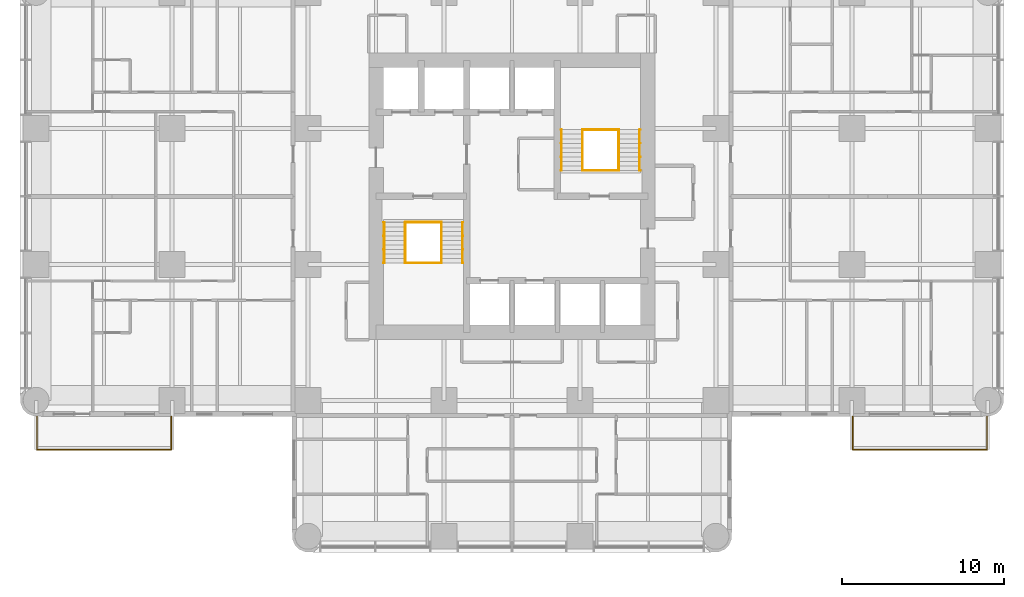
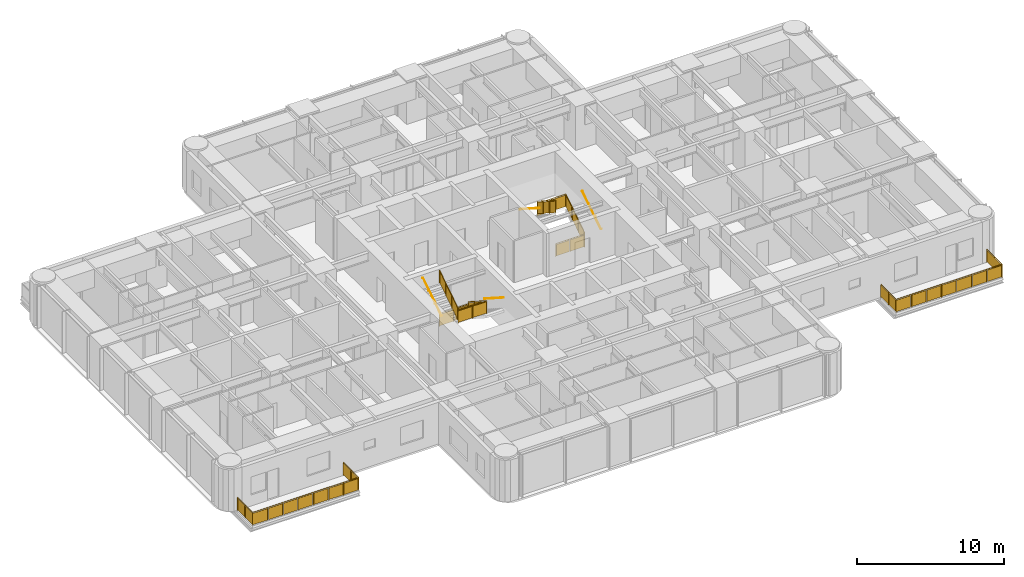
# One storey, part 14 of 15: 14 railings.
"""IFC4 building model written with IfcOpenShell, lengths in metres."""

from ifc_helpers import new_model, si_unit, direction, frame, origin, origin_2d, place, context, subcontext, project, spatial, polyline, circle, outline, extrude, material, constituent, constituent_set, type_object, element, save


model = new_model("IFC4")

# Units and contexts
model_context = context("Model", 3, precision=1e-05, world=origin(), true_north=direction((0.0, 1.0)))
body_context = subcontext(model_context, "Body", "Model", "MODEL_VIEW")
ifc_project = project(units=[si_unit("LENGTHUNIT", "METRE"), si_unit("AREAUNIT", "SQUARE_METRE"), si_unit("VOLUMEUNIT", "CUBIC_METRE"), si_unit("PLANEANGLEUNIT", "RADIAN"), si_unit("MASSUNIT", "GRAM", prefix="KILO")], contexts=[model_context])

# Site, building, storey
site_placement = place(None, origin())
site = spatial("IfcSite", under=ifc_project, at=site_placement, CompositionType="ELEMENT")
building_placement = place(site_placement, origin())
building = spatial("IfcBuilding", under=site, at=building_placement, Name="Torre Alcanfor", CompositionType="ELEMENT")
storey_placement = place(building_placement, frame((0.0, 0.0, 144.89990234375)))
storey = spatial("IfcBuildingStorey", under=building, at=storey_placement, Name="L37", CompositionType="ELEMENT", Elevation=144.89990234375)

# Railings
ifc_material_1 = material(Name="Laminated safety glass", Category="glass")
ifc_constituent_1 = constituent(ifc_material_1, Name="Infill")
ifc_material_2 = material(Name="Stainless steel ASTM A554 Grade MT 316L tube", Category="steel")
ifc_constituent_2 = constituent(ifc_material_2, Name="Posts and rail")
ifc_constituent_set = constituent_set(constituents=[ifc_constituent_1, ifc_constituent_2], Name="Balcony guard glass 1100")
railing_type_1 = type_object("IfcRailingType", Name="Balcony guard glass 1100", PredefinedType="BALUSTRADE", material=ifc_constituent_set)
railing_1_placement = place(storey_placement, frame((50.449951171875, 15.800048828125, 0.0)))
element("IfcRailing", 1, at=railing_1_placement, inside=storey, type_object=railing_type_1, Name="Balcony guard L37-E2", PredefinedType="BALUSTRADE", context=body_context, shape_type="SweptSolid", body=[
    extrude(circle(Radius=0.02392578125, at=origin_2d()), frame((0.0, 0.0, 1.076171875), z_axis=(0.0, -1.0, 0.0), x_axis=(1.0, 0.0, 0.0)), (0.0, 0.0, 1.0), 2.050048828125),
    extrude(circle(Radius=0.02392578125, at=origin_2d()), frame((0.0, -2.050048828125, 1.076171875), z_axis=(1.0, 0.0, 0.0), x_axis=(0.0, 1.0, 0.0)), (0.0, 0.0, 1.0), 8.300048828125),
    extrude(circle(Radius=0.02392578125, at=origin_2d()), frame((8.300048828125, -2.050048828125, 1.076171875), z_axis=(0.0, 1.0, 0.0), x_axis=(-1.0, 0.0, 0.0)), (0.0, 0.0, 1.0), 2.050048828125),
    extrude(circle(Radius=0.02099609375, at=origin_2d()), origin(), (0.0, 0.0, 1.0), 1.052001953125),
    extrude(circle(Radius=0.02099609375, at=origin_2d()), frame((0.0, -1.02490234375, 0.0)), (0.0, 0.0, 1.0), 1.052001953125),
    extrude(circle(Radius=0.02099609375, at=origin_2d()), frame((0.0, -2.050048828125, 0.0)), (0.0, 0.0, 1.0), 1.052001953125),
    extrude(circle(Radius=0.02099609375, at=origin_2d()), frame((1.185791015625, -2.050048828125, 0.0)), (0.0, 0.0, 1.0), 1.052001953125),
    extrude(circle(Radius=0.02099609375, at=origin_2d()), frame((2.371337890625, -2.050048828125, 0.0)), (0.0, 0.0, 1.0), 1.052001953125),
    extrude(circle(Radius=0.02099609375, at=origin_2d()), frame((3.55712890625, -2.050048828125, 0.0)), (0.0, 0.0, 1.0), 1.052001953125),
    extrude(circle(Radius=0.02099609375, at=origin_2d()), frame((4.742919921875, -2.050048828125, 0.0)), (0.0, 0.0, 1.0), 1.052001953125),
    extrude(circle(Radius=0.02099609375, at=origin_2d()), frame((5.9287109375, -2.050048828125, 0.0)), (0.0, 0.0, 1.0), 1.052001953125),
    extrude(circle(Radius=0.02099609375, at=origin_2d()), frame((7.1142578125, -2.050048828125, 0.0)), (0.0, 0.0, 1.0), 1.052001953125),
    extrude(circle(Radius=0.02099609375, at=origin_2d()), frame((8.300048828125, -2.050048828125, 0.0)), (0.0, 0.0, 1.0), 1.052001953125),
    extrude(circle(Radius=0.02099609375, at=origin_2d()), frame((8.300048828125, -1.02490234375, 0.0)), (0.0, 0.0, 1.0), 1.052001953125),
    extrude(circle(Radius=0.02099609375, at=origin_2d()), frame((8.300048828125, 0.0, 0.0)), (0.0, 0.0, 1.0), 1.052001953125),
    extrude(outline(polyline([(0.041015625, 0.050048828125), (0.984130859375, 0.050048828125), (0.984130859375, 1.001953125), (0.041015625, 1.001953125), (0.041015625, 0.050048828125)])), frame((0.005859375, 0.0, 0.0), z_axis=(-1.0, 0.0, 0.0), x_axis=(0.0, -1.0, 0.0)), (0.0, 0.0, 1.0), 0.011962890625),
    extrude(outline(polyline([(1.06591796875, 0.050048828125), (2.009033203125, 0.050048828125), (2.009033203125, 1.001953125), (1.06591796875, 1.001953125), (1.06591796875, 0.050048828125)])), frame((0.005859375, 0.0, 0.0), z_axis=(-1.0, 0.0, 0.0), x_axis=(0.0, -1.0, 0.0)), (0.0, 0.0, 1.0), 0.011962890625),
    extrude(outline(polyline([(0.041015625, 0.050048828125), (1.144775390625, 0.050048828125), (1.144775390625, 1.001953125), (0.041015625, 1.001953125), (0.041015625, 0.050048828125)])), frame((0.0, -2.0439453125, 0.0), z_axis=(0.0, -1.0, 0.0), x_axis=(1.0, 0.0, 0.0)), (0.0, 0.0, 1.0), 0.011962890625),
    extrude(outline(polyline([(1.226806640625, 0.050048828125), (2.330322265625, 0.050048828125), (2.330322265625, 1.001953125), (1.226806640625, 1.001953125), (1.226806640625, 0.050048828125)])), frame((0.0, -2.0439453125, 0.0), z_axis=(0.0, -1.0, 0.0), x_axis=(1.0, 0.0, 0.0)), (0.0, 0.0, 1.0), 0.011962890625),
    extrude(outline(polyline([(2.412353515625, 0.050048828125), (3.51611328125, 0.050048828125), (3.51611328125, 1.001953125), (2.412353515625, 1.001953125), (2.412353515625, 0.050048828125)])), frame((0.0, -2.0439453125, 0.0), z_axis=(0.0, -1.0, 0.0), x_axis=(1.0, 0.0, 0.0)), (0.0, 0.0, 1.0), 0.011962890625),
    extrude(outline(polyline([(3.59814453125, 0.050048828125), (4.701904296875, 0.050048828125), (4.701904296875, 1.001953125), (3.59814453125, 1.001953125), (3.59814453125, 0.050048828125)])), frame((0.0, -2.0439453125, 0.0), z_axis=(0.0, -1.0, 0.0), x_axis=(1.0, 0.0, 0.0)), (0.0, 0.0, 1.0), 0.011962890625),
    extrude(outline(polyline([(4.783935546875, 0.050048828125), (5.8876953125, 0.050048828125), (5.8876953125, 1.001953125), (4.783935546875, 1.001953125), (4.783935546875, 0.050048828125)])), frame((0.0, -2.0439453125, 0.0), z_axis=(0.0, -1.0, 0.0), x_axis=(1.0, 0.0, 0.0)), (0.0, 0.0, 1.0), 0.011962890625),
    extrude(outline(polyline([(5.9697265625, 0.050048828125), (7.0732421875, 0.050048828125), (7.0732421875, 1.001953125), (5.9697265625, 1.001953125), (5.9697265625, 0.050048828125)])), frame((0.0, -2.0439453125, 0.0), z_axis=(0.0, -1.0, 0.0), x_axis=(1.0, 0.0, 0.0)), (0.0, 0.0, 1.0), 0.011962890625),
    extrude(outline(polyline([(7.1552734375, 0.050048828125), (8.259033203125, 0.050048828125), (8.259033203125, 1.001953125), (7.1552734375, 1.001953125), (7.1552734375, 0.050048828125)])), frame((0.0, -2.0439453125, 0.0), z_axis=(0.0, -1.0, 0.0), x_axis=(1.0, 0.0, 0.0)), (0.0, 0.0, 1.0), 0.011962890625),
    extrude(outline(polyline([(0.041015625, 0.050048828125), (0.984130859375, 0.050048828125), (0.984130859375, 1.001953125), (0.041015625, 1.001953125), (0.041015625, 0.050048828125)])), frame((8.2939453125, -2.050048828125, 0.0), z_axis=(1.0, 0.0, 0.0), x_axis=(0.0, 1.0, 0.0)), (0.0, 0.0, 1.0), 0.011962890625),
    extrude(outline(polyline([(1.06591796875, 0.050048828125), (2.009033203125, 0.050048828125), (2.009033203125, 1.001953125), (1.06591796875, 1.001953125), (1.06591796875, 0.050048828125)])), frame((8.2939453125, -2.050048828125, 0.0), z_axis=(1.0, 0.0, 0.0), x_axis=(0.0, 1.0, 0.0)), (0.0, 0.0, 1.0), 0.011962890625),
])
railing_2_placement = place(storey_placement, frame((8.35009765625, 15.800048828125, 0.0)))
element("IfcRailing", 2, at=railing_2_placement, inside=storey, type_object=railing_type_1, Name="Balcony guard L37-W1", PredefinedType="BALUSTRADE", context=body_context, shape_type="SweptSolid", body=[
    extrude(circle(Radius=0.02392578125, at=origin_2d()), frame((0.0, 0.0, 1.076171875), z_axis=(0.0, -1.0, 0.0), x_axis=(1.0, 0.0, 0.0)), (0.0, 0.0, 1.0), 2.050048828125),
    extrude(circle(Radius=0.02392578125, at=origin_2d()), frame((0.0, -2.050048828125, 1.076171875), z_axis=(-1.0, 0.0, 0.0), x_axis=(0.0, -1.0, 0.0)), (0.0, 0.0, 1.0), 8.300048828125),
    extrude(circle(Radius=0.02392578125, at=origin_2d()), frame((-8.300048828125, -2.050048828125, 1.076171875), z_axis=(0.0, 1.0, 0.0), x_axis=(-1.0, 0.0, 0.0)), (0.0, 0.0, 1.0), 2.050048828125),
    extrude(circle(Radius=0.02099609375, at=origin_2d()), origin(), (0.0, 0.0, 1.0), 1.052001953125),
    extrude(circle(Radius=0.02099609375, at=origin_2d()), frame((0.0, -1.02490234375, 0.0)), (0.0, 0.0, 1.0), 1.052001953125),
    extrude(circle(Radius=0.02099609375, at=origin_2d()), frame((0.0, -2.050048828125, 0.0)), (0.0, 0.0, 1.0), 1.052001953125),
    extrude(circle(Radius=0.02099609375, at=origin_2d()), frame((-1.185791015625, -2.050048828125, 0.0)), (0.0, 0.0, 1.0), 1.052001953125),
    extrude(circle(Radius=0.02099609375, at=origin_2d()), frame((-2.371337890625, -2.050048828125, 0.0)), (0.0, 0.0, 1.0), 1.052001953125),
    extrude(circle(Radius=0.02099609375, at=origin_2d()), frame((-3.55712890625, -2.050048828125, 0.0)), (0.0, 0.0, 1.0), 1.052001953125),
    extrude(circle(Radius=0.02099609375, at=origin_2d()), frame((-4.742919921875, -2.050048828125, 0.0)), (0.0, 0.0, 1.0), 1.052001953125),
    extrude(circle(Radius=0.02099609375, at=origin_2d()), frame((-5.9287109375, -2.050048828125, 0.0)), (0.0, 0.0, 1.0), 1.052001953125),
    extrude(circle(Radius=0.02099609375, at=origin_2d()), frame((-7.1142578125, -2.050048828125, 0.0)), (0.0, 0.0, 1.0), 1.052001953125),
    extrude(circle(Radius=0.02099609375, at=origin_2d()), frame((-8.300048828125, -2.050048828125, 0.0)), (0.0, 0.0, 1.0), 1.052001953125),
    extrude(circle(Radius=0.02099609375, at=origin_2d()), frame((-8.300048828125, -1.02490234375, 0.0)), (0.0, 0.0, 1.0), 1.052001953125),
    extrude(circle(Radius=0.02099609375, at=origin_2d()), frame((-8.300048828125, 0.0, 0.0)), (0.0, 0.0, 1.0), 1.052001953125),
    extrude(outline(polyline([(0.041015625, 0.050048828125), (0.984130859375, 0.050048828125), (0.984130859375, 1.001953125), (0.041015625, 1.001953125), (0.041015625, 0.050048828125)])), frame((0.005859375, 0.0, 0.0), z_axis=(-1.0, 0.0, 0.0), x_axis=(0.0, -1.0, 0.0)), (0.0, 0.0, 1.0), 0.011962890625),
    extrude(outline(polyline([(1.06591796875, 0.050048828125), (2.009033203125, 0.050048828125), (2.009033203125, 1.001953125), (1.06591796875, 1.001953125), (1.06591796875, 0.050048828125)])), frame((0.005859375, 0.0, 0.0), z_axis=(-1.0, 0.0, 0.0), x_axis=(0.0, -1.0, 0.0)), (0.0, 0.0, 1.0), 0.011962890625),
    extrude(outline(polyline([(0.041015625, 0.050048828125), (1.144775390625, 0.050048828125), (1.144775390625, 1.001953125), (0.041015625, 1.001953125), (0.041015625, 0.050048828125)])), frame((0.0, -2.05615234375, 0.0), z_axis=(0.0, 1.0, 0.0), x_axis=(-1.0, 0.0, 0.0)), (0.0, 0.0, 1.0), 0.011962890625),
    extrude(outline(polyline([(1.226806640625, 0.050048828125), (2.330322265625, 0.050048828125), (2.330322265625, 1.001953125), (1.226806640625, 1.001953125), (1.226806640625, 0.050048828125)])), frame((0.0, -2.05615234375, 0.0), z_axis=(0.0, 1.0, 0.0), x_axis=(-1.0, 0.0, 0.0)), (0.0, 0.0, 1.0), 0.011962890625),
    extrude(outline(polyline([(2.412353515625, 0.050048828125), (3.51611328125, 0.050048828125), (3.51611328125, 1.001953125), (2.412353515625, 1.001953125), (2.412353515625, 0.050048828125)])), frame((0.0, -2.05615234375, 0.0), z_axis=(0.0, 1.0, 0.0), x_axis=(-1.0, 0.0, 0.0)), (0.0, 0.0, 1.0), 0.011962890625),
    extrude(outline(polyline([(3.59814453125, 0.050048828125), (4.701904296875, 0.050048828125), (4.701904296875, 1.001953125), (3.59814453125, 1.001953125), (3.59814453125, 0.050048828125)])), frame((0.0, -2.05615234375, 0.0), z_axis=(0.0, 1.0, 0.0), x_axis=(-1.0, 0.0, 0.0)), (0.0, 0.0, 1.0), 0.011962890625),
    extrude(outline(polyline([(4.783935546875, 0.050048828125), (5.8876953125, 0.050048828125), (5.8876953125, 1.001953125), (4.783935546875, 1.001953125), (4.783935546875, 0.050048828125)])), frame((0.0, -2.05615234375, 0.0), z_axis=(0.0, 1.0, 0.0), x_axis=(-1.0, 0.0, 0.0)), (0.0, 0.0, 1.0), 0.011962890625),
    extrude(outline(polyline([(5.9697265625, 0.050048828125), (7.0732421875, 0.050048828125), (7.0732421875, 1.001953125), (5.9697265625, 1.001953125), (5.9697265625, 0.050048828125)])), frame((0.0, -2.05615234375, 0.0), z_axis=(0.0, 1.0, 0.0), x_axis=(-1.0, 0.0, 0.0)), (0.0, 0.0, 1.0), 0.011962890625),
    extrude(outline(polyline([(7.1552734375, 0.050048828125), (8.259033203125, 0.050048828125), (8.259033203125, 1.001953125), (7.1552734375, 1.001953125), (7.1552734375, 0.050048828125)])), frame((0.0, -2.05615234375, 0.0), z_axis=(0.0, 1.0, 0.0), x_axis=(-1.0, 0.0, 0.0)), (0.0, 0.0, 1.0), 0.011962890625),
    extrude(outline(polyline([(0.041015625, 0.050048828125), (0.984130859375, 0.050048828125), (0.984130859375, 1.001953125), (0.041015625, 1.001953125), (0.041015625, 0.050048828125)])), frame((-8.30615234375, -2.050048828125, 0.0), z_axis=(1.0, 0.0, 0.0), x_axis=(0.0, 1.0, 0.0)), (0.0, 0.0, 1.0), 0.011962890625),
    extrude(outline(polyline([(1.06591796875, 0.050048828125), (2.009033203125, 0.050048828125), (2.009033203125, 1.001953125), (1.06591796875, 1.001953125), (1.06591796875, 0.050048828125)])), frame((-8.30615234375, -2.050048828125, 0.0), z_axis=(1.0, 0.0, 0.0), x_axis=(0.0, 1.0, 0.0)), (0.0, 0.0, 1.0), 0.011962890625),
])
ifc_material_3 = material(Name="Steel ASTM A500 Grade C hollow sections", Category="steel")
railing_type_2 = type_object("IfcRailingType", Name="Stair guard and handrail 1100", PredefinedType="GUARDRAIL", material=ifc_material_3)
railing_3_placement = place(storey_placement, frame((25.050048828125, 27.800048828125, 0.18017578125)))
element("IfcRailing", 3, at=railing_3_placement, inside=storey, type_object=railing_type_2, Name="Stair guard S1 L37 flight 1", PredefinedType="GUARDRAIL", context=body_context, shape_type="SweptSolid", body=[
    extrude(circle(Radius=0.02392578125, at=origin_2d()), frame((0.0, 0.0, 1.076171875), z_axis=(0.0, -0.841199657755, 0.540724639528), x_axis=(1.0, 0.0, 0.0)), (0.0, 0.0, 1.0), 2.995849609375),
    extrude(circle(Radius=0.02099609375, at=origin_2d()), origin(), (0.0, 0.0, 1.0), 1.052001953125),
    extrude(circle(Radius=0.02099609375, at=origin_2d()), frame((0.0, -0.840087890625, 0.5400390625)), (0.0, 0.0, 1.0), 1.052001953125),
    extrude(circle(Radius=0.02099609375, at=origin_2d()), frame((0.0, -1.679931640625, 1.079833984375)), (0.0, 0.0, 1.0), 1.052001953125),
    extrude(circle(Radius=0.02099609375, at=origin_2d()), frame((0.0, -2.52001953125, 1.619873046875)), (0.0, 0.0, 1.0), 1.052001953125),
    extrude(outline(polyline([(0.041015625, 0.076416015625), (0.799072265625, 0.563720703125), (0.799072265625, 1.515625), (0.041015625, 1.0283203125), (0.041015625, 0.076416015625)])), frame((0.005859375, 0.0, 0.0), z_axis=(-1.0, 0.0, 0.0), x_axis=(0.0, -1.0, 0.0)), (0.0, 0.0, 1.0), 0.011962890625),
    extrude(outline(polyline([(0.881103515625, 0.6162109375), (1.638916015625, 1.103515625), (1.638916015625, 2.0556640625), (0.881103515625, 1.568359375), (0.881103515625, 0.6162109375)])), frame((0.005859375, 0.0, 0.0), z_axis=(-1.0, 0.0, 0.0), x_axis=(0.0, -1.0, 0.0)), (0.0, 0.0, 1.0), 0.011962890625),
    extrude(outline(polyline([(1.720947265625, 1.15625), (2.47900390625, 1.6435546875), (2.47900390625, 2.595458984375), (1.720947265625, 2.108154296875), (1.720947265625, 1.15625)])), frame((0.005859375, 0.0, 0.0), z_axis=(-1.0, 0.0, 0.0), x_axis=(0.0, -1.0, 0.0)), (0.0, 0.0, 1.0), 0.011962890625),
])
railing_4_placement = place(storey_placement, frame((22.800048828125, 25.280029296875, 1.97998046875)))
element("IfcRailing", 4, at=railing_4_placement, inside=storey, type_object=railing_type_2, Name="Stair guard S1 L37 flight 2", PredefinedType="GUARDRAIL", context=body_context, shape_type="SweptSolid", body=[
    extrude(circle(Radius=0.02392578125, at=origin_2d()), frame((0.0, 0.0, 1.076171875), z_axis=(0.0, 0.841162588446, 0.540782303519), x_axis=(-1.0, 0.0, 0.0)), (0.0, 0.0, 1.0), 2.995849609375),
    extrude(circle(Radius=0.02099609375, at=origin_2d()), origin(), (0.0, 0.0, 1.0), 1.052001953125),
    extrude(circle(Radius=0.02099609375, at=origin_2d()), frame((0.0, 0.840087890625, 0.5400390625)), (0.0, 0.0, 1.0), 1.052001953125),
    extrude(circle(Radius=0.02099609375, at=origin_2d()), frame((0.0, 1.679931640625, 1.080078125)), (0.0, 0.0, 1.0), 1.052001953125),
    extrude(circle(Radius=0.02099609375, at=origin_2d()), frame((0.0, 2.52001953125, 1.6201171875)), (0.0, 0.0, 1.0), 1.052001953125),
    extrude(outline(polyline([(0.041015625, 0.076416015625), (0.799072265625, 0.563720703125), (0.799072265625, 1.515625), (0.041015625, 1.0283203125), (0.041015625, 0.076416015625)])), frame((-0.005859375, 0.0, 0.0), z_axis=(1.0, 0.0, 0.0), x_axis=(0.0, 1.0, 0.0)), (0.0, 0.0, 1.0), 0.011962890625),
    extrude(outline(polyline([(0.881103515625, 0.616455078125), (1.638916015625, 1.103759765625), (1.638916015625, 2.0556640625), (0.881103515625, 1.568359375), (0.881103515625, 0.616455078125)])), frame((-0.005859375, 0.0, 0.0), z_axis=(1.0, 0.0, 0.0), x_axis=(0.0, 1.0, 0.0)), (0.0, 0.0, 1.0), 0.011962890625),
    extrude(outline(polyline([(1.720947265625, 1.156494140625), (2.47900390625, 1.643798828125), (2.47900390625, 2.595703125), (1.720947265625, 2.1083984375), (1.720947265625, 1.156494140625)])), frame((-0.005859375, 0.0, 0.0), z_axis=(1.0, 0.0, 0.0), x_axis=(0.0, 1.0, 0.0)), (0.0, 0.0, 1.0), 0.011962890625),
])
for number, where, name in (
    (5, (22.800048828125, 27.800048828125, 0.0), "Stair well guard S1 L37 floor landing"),
    (6, (22.800048828125, 25.280029296875, 1.800048828125), "Stair well guard S1 L37 half landing"),
):
    element("IfcRailing", number, at=place(storey_placement, frame(where)), inside=storey, type_object=railing_type_2, Name=name, PredefinedType="GUARDRAIL", context=body_context, shape_type="SweptSolid", body=[
        extrude(circle(Radius=0.02392578125, at=origin_2d()), frame((0.0, 0.0, 1.076171875), z_axis=(1.0, 0.0, 0.0), x_axis=(0.0, 1.0, 0.0)), (0.0, 0.0, 1.0), 2.25),
        extrude(circle(Radius=0.02099609375, at=origin_2d()), origin(), (0.0, 0.0, 1.0), 1.052001953125),
        extrude(circle(Radius=0.02099609375, at=origin_2d()), frame((1.125, 0.0, 0.0)), (0.0, 0.0, 1.0), 1.052001953125),
        extrude(circle(Radius=0.02099609375, at=origin_2d()), frame((2.25, 0.0, 0.0)), (0.0, 0.0, 1.0), 1.052001953125),
        extrude(outline(polyline([(0.041015625, 0.050048828125), (1.083984375, 0.050048828125), (1.083984375, 1.001953125), (0.041015625, 1.001953125), (0.041015625, 0.050048828125)])), frame((0.0, 0.005859375, 0.0), z_axis=(0.0, -1.0, 0.0), x_axis=(1.0, 0.0, 0.0)), (0.0, 0.0, 1.0), 0.011962890625),
        extrude(outline(polyline([(1.166015625, 0.050048828125), (2.208984375, 0.050048828125), (2.208984375, 1.001953125), (1.166015625, 1.001953125), (1.166015625, 0.050048828125)])), frame((0.0, 0.005859375, 0.0), z_axis=(0.0, -1.0, 0.0), x_axis=(1.0, 0.0, 0.0)), (0.0, 0.0, 1.0), 0.011962890625),
    ])
railing_5_placement = place(storey_placement, frame((36.0, 31.0, 0.18017578125)))
element("IfcRailing", 7, at=railing_5_placement, inside=storey, type_object=railing_type_2, Name="Stair guard S2 L37 flight 1", PredefinedType="GUARDRAIL", context=body_context, shape_type="SweptSolid", body=[
    extrude(circle(Radius=0.02392578125, at=origin_2d()), frame((0.0, 0.0, 1.076171875), z_axis=(0.0, 0.841199657755, 0.540724639528), x_axis=(-1.0, 0.0, 0.0)), (0.0, 0.0, 1.0), 2.995849609375),
    extrude(circle(Radius=0.02099609375, at=origin_2d()), origin(), (0.0, 0.0, 1.0), 1.052001953125),
    extrude(circle(Radius=0.02099609375, at=origin_2d()), frame((0.0, 0.840087890625, 0.5400390625)), (0.0, 0.0, 1.0), 1.052001953125),
    extrude(circle(Radius=0.02099609375, at=origin_2d()), frame((0.0, 1.679931640625, 1.079833984375)), (0.0, 0.0, 1.0), 1.052001953125),
    extrude(circle(Radius=0.02099609375, at=origin_2d()), frame((0.0, 2.52001953125, 1.619873046875)), (0.0, 0.0, 1.0), 1.052001953125),
    extrude(outline(polyline([(0.041015625, 0.076416015625), (0.799072265625, 0.563720703125), (0.799072265625, 1.515625), (0.041015625, 1.0283203125), (0.041015625, 0.076416015625)])), frame((-0.005859375, 0.0, 0.0), z_axis=(1.0, 0.0, 0.0), x_axis=(0.0, 1.0, 0.0)), (0.0, 0.0, 1.0), 0.011962890625),
    extrude(outline(polyline([(0.881103515625, 0.6162109375), (1.638916015625, 1.103515625), (1.638916015625, 2.0556640625), (0.881103515625, 1.568359375), (0.881103515625, 0.6162109375)])), frame((-0.005859375, 0.0, 0.0), z_axis=(1.0, 0.0, 0.0), x_axis=(0.0, 1.0, 0.0)), (0.0, 0.0, 1.0), 0.011962890625),
    extrude(outline(polyline([(1.720947265625, 1.15625), (2.47900390625, 1.6435546875), (2.47900390625, 2.595458984375), (1.720947265625, 2.108154296875), (1.720947265625, 1.15625)])), frame((-0.005859375, 0.0, 0.0), z_axis=(1.0, 0.0, 0.0), x_axis=(0.0, 1.0, 0.0)), (0.0, 0.0, 1.0), 0.011962890625),
])
railing_6_placement = place(storey_placement, frame((33.75, 33.52001953125, 1.97998046875)))
element("IfcRailing", 8, at=railing_6_placement, inside=storey, type_object=railing_type_2, Name="Stair guard S2 L37 flight 2", PredefinedType="GUARDRAIL", context=body_context, shape_type="SweptSolid", body=[
    extrude(circle(Radius=0.02392578125, at=origin_2d()), frame((0.0, 0.0, 1.076171875), z_axis=(0.0, -0.841162588446, 0.540782303519), x_axis=(1.0, 0.0, 0.0)), (0.0, 0.0, 1.0), 2.995849609375),
    extrude(circle(Radius=0.02099609375, at=origin_2d()), origin(), (0.0, 0.0, 1.0), 1.052001953125),
    extrude(circle(Radius=0.02099609375, at=origin_2d()), frame((0.0, -0.840087890625, 0.5400390625)), (0.0, 0.0, 1.0), 1.052001953125),
    extrude(circle(Radius=0.02099609375, at=origin_2d()), frame((0.0, -1.679931640625, 1.080078125)), (0.0, 0.0, 1.0), 1.052001953125),
    extrude(circle(Radius=0.02099609375, at=origin_2d()), frame((0.0, -2.52001953125, 1.6201171875)), (0.0, 0.0, 1.0), 1.052001953125),
    extrude(outline(polyline([(0.041015625, 0.076416015625), (0.799072265625, 0.563720703125), (0.799072265625, 1.515625), (0.041015625, 1.0283203125), (0.041015625, 0.076416015625)])), frame((0.005859375, 0.0, 0.0), z_axis=(-1.0, 0.0, 0.0), x_axis=(0.0, -1.0, 0.0)), (0.0, 0.0, 1.0), 0.011962890625),
    extrude(outline(polyline([(0.881103515625, 0.616455078125), (1.638916015625, 1.103759765625), (1.638916015625, 2.0556640625), (0.881103515625, 1.568359375), (0.881103515625, 0.616455078125)])), frame((0.005859375, 0.0, 0.0), z_axis=(-1.0, 0.0, 0.0), x_axis=(0.0, -1.0, 0.0)), (0.0, 0.0, 1.0), 0.011962890625),
    extrude(outline(polyline([(1.720947265625, 1.156494140625), (2.47900390625, 1.643798828125), (2.47900390625, 2.595703125), (1.720947265625, 2.1083984375), (1.720947265625, 1.156494140625)])), frame((0.005859375, 0.0, 0.0), z_axis=(-1.0, 0.0, 0.0), x_axis=(0.0, -1.0, 0.0)), (0.0, 0.0, 1.0), 0.011962890625),
])
for number, where, name in (
    (9, (33.75, 31.0, 0.0), "Stair well guard S2 L37 floor landing"),
    (10, (33.75, 33.52001953125, 1.800048828125), "Stair well guard S2 L37 half landing"),
):
    element("IfcRailing", number, at=place(storey_placement, frame(where)), inside=storey, type_object=railing_type_2, Name=name, PredefinedType="GUARDRAIL", context=body_context, shape_type="SweptSolid", body=[
        extrude(circle(Radius=0.02392578125, at=origin_2d()), frame((0.0, 0.0, 1.076171875), z_axis=(1.0, 0.0, 0.0), x_axis=(0.0, 1.0, 0.0)), (0.0, 0.0, 1.0), 2.25),
        extrude(circle(Radius=0.02099609375, at=origin_2d()), origin(), (0.0, 0.0, 1.0), 1.052001953125),
        extrude(circle(Radius=0.02099609375, at=origin_2d()), frame((1.125, 0.0, 0.0)), (0.0, 0.0, 1.0), 1.052001953125),
        extrude(circle(Radius=0.02099609375, at=origin_2d()), frame((2.25, 0.0, 0.0)), (0.0, 0.0, 1.0), 1.052001953125),
        extrude(outline(polyline([(0.041015625, 0.050048828125), (1.083984375, 0.050048828125), (1.083984375, 1.001953125), (0.041015625, 1.001953125), (0.041015625, 0.050048828125)])), frame((0.0, 0.005859375, 0.0), z_axis=(0.0, -1.0, 0.0), x_axis=(1.0, 0.0, 0.0)), (0.0, 0.0, 1.0), 0.011962890625),
        extrude(outline(polyline([(1.166015625, 0.050048828125), (2.208984375, 0.050048828125), (2.208984375, 1.001953125), (1.166015625, 1.001953125), (1.166015625, 0.050048828125)])), frame((0.0, 0.005859375, 0.0), z_axis=(0.0, -1.0, 0.0), x_axis=(1.0, 0.0, 0.0)), (0.0, 0.0, 1.0), 0.011962890625),
    ])
ifc_material_4 = material(Name="Steel ASTM A500 Grade C hollow sections", Category="steel")
railing_type_3 = type_object("IfcRailingType", Name="Stair wall handrail 900", PredefinedType="HANDRAIL", material=ifc_material_4)
railing_7_placement = place(storey_placement, frame((26.3349609375, 27.800048828125, 0.18017578125)))
element("IfcRailing", 11, at=railing_7_placement, inside=storey, type_object=railing_type_3, Name="Stair handrail S1 L37 flight 1", PredefinedType="HANDRAIL", context=body_context, shape_type="SweptSolid", body=[
    extrude(circle(Radius=0.02392578125, at=origin_2d()), frame((0.0, 0.0, 0.8759765625), z_axis=(0.0, -0.841199657755, 0.540724639528), x_axis=(1.0, 0.0, 0.0)), (0.0, 0.0, 1.0), 2.995849609375),
    extrude(circle(Radius=0.008056640625, at=origin_2d()), frame((0.0, 0.0, 0.8759765625), z_axis=(1.0, 0.0, 0.0), x_axis=(0.0, 0.0, 1.0)), (0.0, 0.0, 1.0), 0.06494140625),
    extrude(circle(Radius=0.008056640625, at=origin_2d()), frame((0.0, -0.840087890625, 1.415771484375), z_axis=(1.0, 0.0, 0.0), x_axis=(0.0, 0.0, 1.0)), (0.0, 0.0, 1.0), 0.06494140625),
    extrude(circle(Radius=0.008056640625, at=origin_2d()), frame((0.0, -1.679931640625, 1.955810546875), z_axis=(1.0, 0.0, 0.0), x_axis=(0.0, 0.0, 1.0)), (0.0, 0.0, 1.0), 0.06494140625),
    extrude(circle(Radius=0.008056640625, at=origin_2d()), frame((0.0, -2.52001953125, 2.49560546875), z_axis=(1.0, 0.0, 0.0), x_axis=(0.0, 0.0, 1.0)), (0.0, 0.0, 1.0), 0.06494140625),
])
railing_8_placement = place(storey_placement, frame((21.514892578125, 25.280029296875, 1.97998046875)))
element("IfcRailing", 12, at=railing_8_placement, inside=storey, type_object=railing_type_3, Name="Stair handrail S1 L37 flight 2", PredefinedType="HANDRAIL", context=body_context, shape_type="SweptSolid", body=[
    extrude(circle(Radius=0.02392578125, at=origin_2d()), frame((0.0, 0.0, 0.8759765625), z_axis=(0.0, 0.841162588446, 0.540782303519), x_axis=(-1.0, 0.0, 0.0)), (0.0, 0.0, 1.0), 2.995849609375),
    extrude(circle(Radius=0.008056640625, at=origin_2d()), frame((0.0, 0.0, 0.8759765625), z_axis=(-1.0, 0.0, 0.0), x_axis=(0.0, 0.0, 1.0)), (0.0, 0.0, 1.0), 0.06494140625),
    extrude(circle(Radius=0.008056640625, at=origin_2d()), frame((0.0, 0.840087890625, 1.416015625), z_axis=(-1.0, 0.0, 0.0), x_axis=(0.0, 0.0, 1.0)), (0.0, 0.0, 1.0), 0.06494140625),
    extrude(circle(Radius=0.008056640625, at=origin_2d()), frame((0.0, 1.679931640625, 1.9560546875), z_axis=(-1.0, 0.0, 0.0), x_axis=(0.0, 0.0, 1.0)), (0.0, 0.0, 1.0), 0.06494140625),
    extrude(circle(Radius=0.008056640625, at=origin_2d()), frame((0.0, 2.52001953125, 2.49609375), z_axis=(-1.0, 0.0, 0.0), x_axis=(0.0, 0.0, 1.0)), (0.0, 0.0, 1.0), 0.06494140625),
])
railing_9_placement = place(storey_placement, frame((37.284912109375, 31.0, 0.18017578125)))
element("IfcRailing", 13, at=railing_9_placement, inside=storey, type_object=railing_type_3, Name="Stair handrail S2 L37 flight 1", PredefinedType="HANDRAIL", context=body_context, shape_type="SweptSolid", body=[
    extrude(circle(Radius=0.02392578125, at=origin_2d()), frame((0.0, 0.0, 0.8759765625), z_axis=(0.0, 0.841199657755, 0.540724639528), x_axis=(-1.0, 0.0, 0.0)), (0.0, 0.0, 1.0), 2.995849609375),
    extrude(circle(Radius=0.008056640625, at=origin_2d()), frame((0.0, 0.0, 0.8759765625), z_axis=(1.0, 0.0, 0.0), x_axis=(0.0, 0.0, 1.0)), (0.0, 0.0, 1.0), 0.06494140625),
    extrude(circle(Radius=0.008056640625, at=origin_2d()), frame((0.0, 0.840087890625, 1.415771484375), z_axis=(1.0, 0.0, 0.0), x_axis=(0.0, 0.0, 1.0)), (0.0, 0.0, 1.0), 0.06494140625),
    extrude(circle(Radius=0.008056640625, at=origin_2d()), frame((0.0, 1.679931640625, 1.955810546875), z_axis=(1.0, 0.0, 0.0), x_axis=(0.0, 0.0, 1.0)), (0.0, 0.0, 1.0), 0.06494140625),
    extrude(circle(Radius=0.008056640625, at=origin_2d()), frame((0.0, 2.52001953125, 2.49560546875), z_axis=(1.0, 0.0, 0.0), x_axis=(0.0, 0.0, 1.0)), (0.0, 0.0, 1.0), 0.06494140625),
])
railing_10_placement = place(storey_placement, frame((32.465087890625, 33.52001953125, 1.97998046875)))
element("IfcRailing", 14, at=railing_10_placement, inside=storey, type_object=railing_type_3, Name="Stair handrail S2 L37 flight 2", PredefinedType="HANDRAIL", context=body_context, shape_type="SweptSolid", body=[
    extrude(circle(Radius=0.02392578125, at=origin_2d()), frame((0.0, 0.0, 0.8759765625), z_axis=(0.0, -0.841162588446, 0.540782303519), x_axis=(1.0, 0.0, 0.0)), (0.0, 0.0, 1.0), 2.995849609375),
    extrude(circle(Radius=0.008056640625, at=origin_2d()), frame((0.0, 0.0, 0.8759765625), z_axis=(-1.0, 0.0, 0.0), x_axis=(0.0, 0.0, 1.0)), (0.0, 0.0, 1.0), 0.06494140625),
    extrude(circle(Radius=0.008056640625, at=origin_2d()), frame((0.0, -0.840087890625, 1.416015625), z_axis=(-1.0, 0.0, 0.0), x_axis=(0.0, 0.0, 1.0)), (0.0, 0.0, 1.0), 0.06494140625),
    extrude(circle(Radius=0.008056640625, at=origin_2d()), frame((0.0, -1.679931640625, 1.9560546875), z_axis=(-1.0, 0.0, 0.0), x_axis=(0.0, 0.0, 1.0)), (0.0, 0.0, 1.0), 0.06494140625),
    extrude(circle(Radius=0.008056640625, at=origin_2d()), frame((0.0, -2.52001953125, 2.49609375), z_axis=(-1.0, 0.0, 0.0), x_axis=(0.0, 0.0, 1.0)), (0.0, 0.0, 1.0), 0.06494140625),
])

save(model, "model.ifc")
